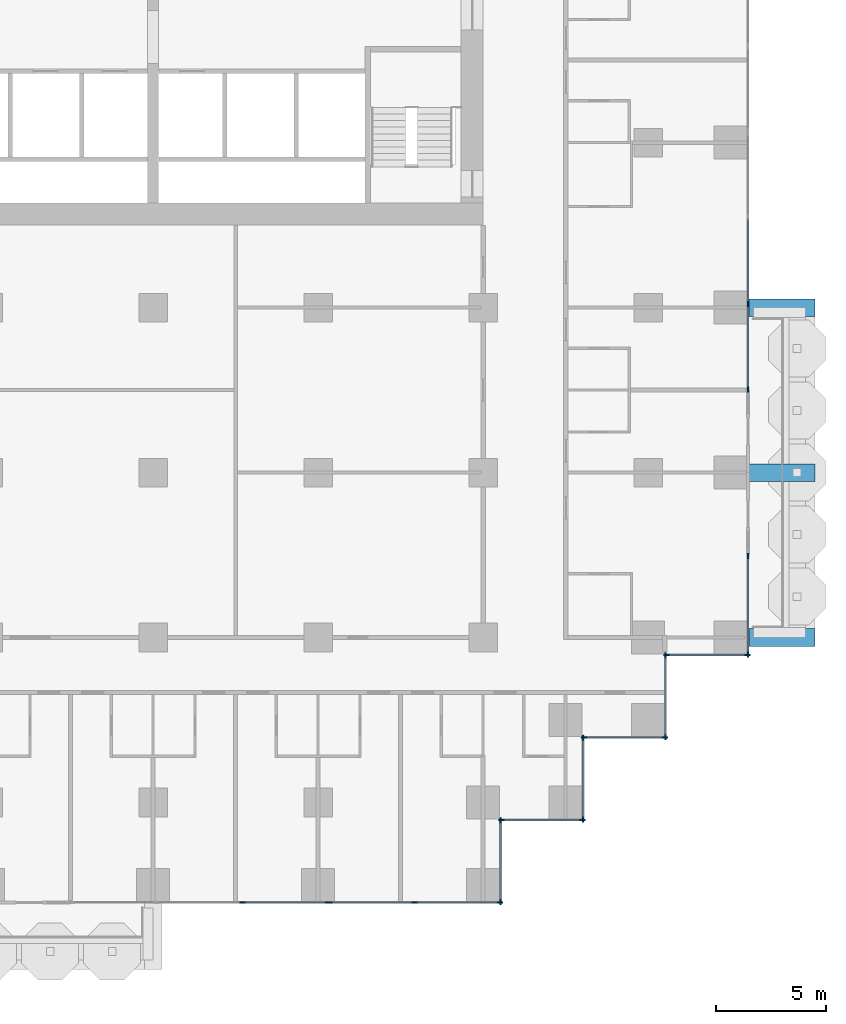
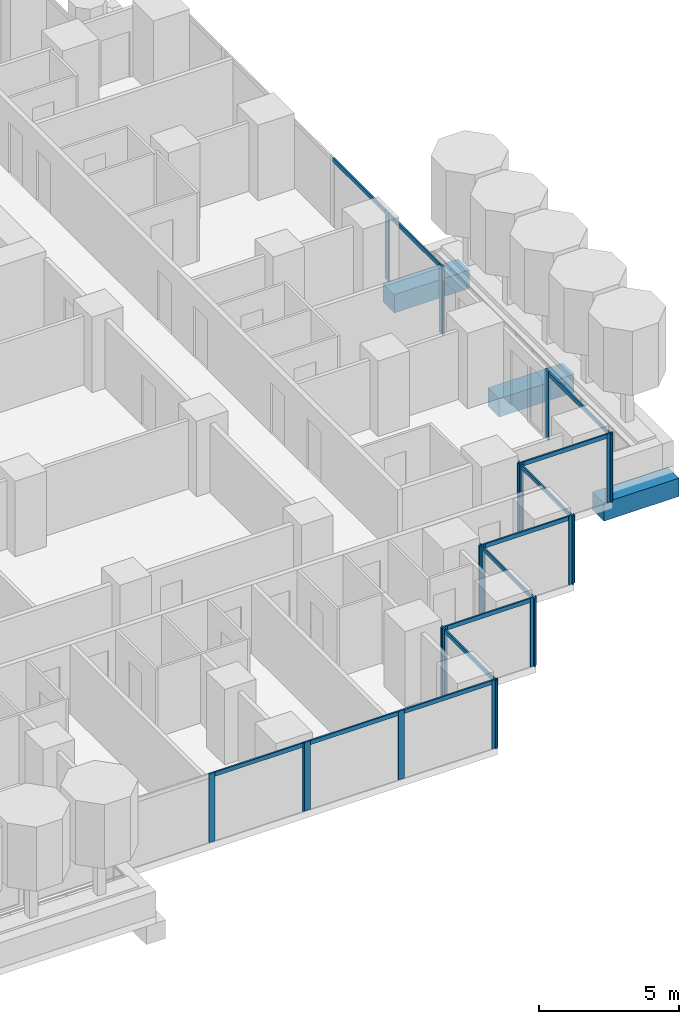
# One storey, part 4 of 19: 33 members, 3 beams, 10 elements without a shape of their own.
"""IFC4 building model written with IfcOpenShell, lengths in metres."""

from ifc_helpers import new_model, si_unit, direction, frame, origin, origin_2d, place, context, subcontext, project, spatial, rectangle, extrude, material, material_profile, profile_set, type_object, element, aggregate, save


model = new_model("IFC4")

# Units and contexts
model_context = context("Model", 3, precision=1e-05, world=origin(), true_north=direction((0.0, 1.0)))
body_context = subcontext(model_context, "Body", "Model", "MODEL_VIEW")
ifc_project = project(units=[si_unit("LENGTHUNIT", "METRE"), si_unit("AREAUNIT", "SQUARE_METRE"), si_unit("VOLUMEUNIT", "CUBIC_METRE"), si_unit("PLANEANGLEUNIT", "RADIAN"), si_unit("MASSUNIT", "GRAM", prefix="KILO")], contexts=[model_context])

# Site, building, storey
site_placement = place(None, origin())
site = spatial("IfcSite", under=ifc_project, at=site_placement, CompositionType="ELEMENT")
building_placement = place(site_placement, origin())
building = spatial("IfcBuilding", under=site, at=building_placement, Name="Pilkhan Gate Tower", CompositionType="ELEMENT")
storey_placement = place(building_placement, frame((0.0, 0.0, 62.60009765625)))
storey = spatial("IfcBuildingStorey", under=building, at=storey_placement, Name="L13", CompositionType="ELEMENT", Elevation=62.60009765625)

# Beams
ifc_material_1 = material(Name="Concrete C50/60", Category="concrete")
ifc_material_profile_1 = material_profile(ifc_material_1, rectangle(XDim=0.800048828125, YDim=0.800048828125, at=origin_2d()), Name="RC 800x800")
ifc_profile_set_1 = profile_set([ifc_material_profile_1], Name="Concrete C50/60")
beam_type = type_object("IfcBeamType", Name="Cantilever beam CB2 RC 800x800 C50/60", PredefinedType="BEAM", material=ifc_profile_set_1)
for number, where, z_axis, x_axis, name in (
    (1, (102.0, 52.5, -0.7001953125), (1.0, 0.0, 0.0), (0.0, 1.0, 0.0), "Balcony beam E.1 L13"),
    (2, (102.0, 60.0, -0.7001953125), (1.0, 0.0, 0.0), (0.0, 1.0, 0.0), "Balcony beam E.2 L13"),
    (3, (102.0, 67.5, -0.7001953125), (1.0, 0.0, 0.0), (0.0, 1.0, 0.0), "Balcony beam E.3 L13"),
):
    element("IfcBeam", number, at=place(storey_placement, frame(where, z_axis=z_axis, x_axis=x_axis)), inside=storey, type_object=beam_type, Name=name, PredefinedType="BEAM", context=body_context, shape_type="SweptSolid", body=[
        extrude(rectangle(XDim=0.800048828125, YDim=0.800048828125, at=origin_2d()), origin(), (0.0, 0.0, 1.0), 3.10009765625),
    ])

# Curtain wall, members
ifc_material_2 = material(Name="Pale anodised aluminium, clear low-iron double glazing", Category="aluminium")
curtain_wall_type = type_object("IfcCurtainWallType", Name="Hotel unitised curtain wall CW-H", PredefinedType="USERDEFINED", material=ifc_material_2)
curtain_wall_1_placement = place(storey_placement, origin())
curtain_wall_1 = element("IfcCurtainWall", 4, at=curtain_wall_1_placement, inside=storey, type_object=curtain_wall_type, Name="Hotel unitised curtain wall CW-H L13 E", ObjectType="UNITISED CURTAIN WALL", PredefinedType="USERDEFINED")
ifc_material_3 = material(Name="Pale anodised aluminium", Category="aluminium")
ifc_material_profile_2 = material_profile(ifc_material_3, rectangle(XDim=0.06494140625, YDim=0.25, at=origin_2d()), Name="Mullion 250x65")
ifc_profile_set_2 = profile_set([ifc_material_profile_2], Name="Pale anodised aluminium")
member_type_1 = type_object("IfcMemberType", Name="Mullion CW-H 250x65", PredefinedType="MULLION", material=ifc_profile_set_2)
member_1_placement = place(storey_placement, frame((102.044921875, 51.737548828125, 0.0), z_axis=(0.0, 0.0, 1.0), x_axis=(-1.0, 0.0, 0.0)))
member_1 = element("IfcMember", 5, at=member_1_placement, type_object=member_type_1, Name="CW-H mullion 1", PredefinedType="MULLION", context=body_context, shape_type="SweptSolid", body=[
    extrude(rectangle(XDim=0.06494140625, YDim=0.25, at=origin_2d()), origin(), (0.0, 0.0, 1.0), 3.0),
])
member_2_placement = place(storey_placement, frame((102.044921875, 56.217529296875, 0.0), z_axis=(0.0, 0.0, 1.0), x_axis=(-1.0, 0.0, 0.0)))
member_2 = element("IfcMember", 6, at=member_2_placement, type_object=member_type_1, Name="CW-H mullion 2", PredefinedType="MULLION", context=body_context, shape_type="SweptSolid", body=[
    extrude(rectangle(XDim=0.06494140625, YDim=0.25, at=origin_2d()), origin(), (0.0, 0.0, 1.0), 3.0),
])

curtain_wall_2_placement = place(storey_placement, origin())
curtain_wall_2 = element("IfcCurtainWall", 7, at=curtain_wall_2_placement, inside=storey, type_object=curtain_wall_type, Name="Hotel unitised curtain wall CW-H L13 E", ObjectType="UNITISED CURTAIN WALL", PredefinedType="USERDEFINED")
member_3_placement = place(storey_placement, frame((102.044921875, 63.782470703125, 0.0), z_axis=(0.0, 0.0, 1.0), x_axis=(-1.0, 0.0, 0.0)))
member_3 = element("IfcMember", 8, at=member_3_placement, type_object=member_type_1, Name="CW-H mullion 1", PredefinedType="MULLION", context=body_context, shape_type="SweptSolid", body=[
    extrude(rectangle(XDim=0.06494140625, YDim=0.25, at=origin_2d()), origin(), (0.0, 0.0, 1.0), 3.0),
])
member_4_placement = place(storey_placement, frame((102.044921875, 67.658935546875, 0.0), z_axis=(0.0, 0.0, 1.0), x_axis=(-1.0, 0.0, 0.0)))
member_4 = element("IfcMember", 9, at=member_4_placement, type_object=member_type_1, Name="CW-H mullion 2", PredefinedType="MULLION", context=body_context, shape_type="SweptSolid", body=[
    extrude(rectangle(XDim=0.06494140625, YDim=0.25, at=origin_2d()), origin(), (0.0, 0.0, 1.0), 3.0),
])

curtain_wall_3_placement = place(storey_placement, origin())
curtain_wall_3 = element("IfcCurtainWall", 10, at=curtain_wall_3_placement, inside=storey, type_object=curtain_wall_type, Name="Hotel unitised curtain wall CW-H L13 S", ObjectType="UNITISED CURTAIN WALL", PredefinedType="USERDEFINED")
member_5_placement = place(storey_placement, frame((79.068115234375, 40.455078125, 0.0), z_axis=(0.0, 0.0, 1.0), x_axis=(0.0, 1.0, 0.0)))
member_5 = element("IfcMember", 11, at=member_5_placement, type_object=member_type_1, Name="CW-H mullion 3", PredefinedType="MULLION", context=body_context, shape_type="SweptSolid", body=[
    extrude(rectangle(XDim=0.06494140625, YDim=0.25, at=origin_2d()), origin(), (0.0, 0.0, 1.0), 3.0),
])
member_6_placement = place(storey_placement, frame((82.944580078125, 40.455078125, 0.0), z_axis=(0.0, 0.0, 1.0), x_axis=(0.0, 1.0, 0.0)))
member_6 = element("IfcMember", 12, at=member_6_placement, type_object=member_type_1, Name="CW-H mullion 4", PredefinedType="MULLION", context=body_context, shape_type="SweptSolid", body=[
    extrude(rectangle(XDim=0.06494140625, YDim=0.25, at=origin_2d()), origin(), (0.0, 0.0, 1.0), 3.0),
])

curtain_wall_4_placement = place(storey_placement, origin())
curtain_wall_4 = element("IfcCurtainWall", 13, at=curtain_wall_4_placement, inside=storey, type_object=curtain_wall_type, Name="Hotel unitised curtain wall CW-H L13 S", ObjectType="UNITISED CURTAIN WALL", PredefinedType="USERDEFINED")
member_7_placement = place(storey_placement, frame((83.009521484375, 40.455078125, 0.0), z_axis=(0.0, 0.0, 1.0), x_axis=(0.0, 1.0, 0.0)))
member_7 = element("IfcMember", 14, at=member_7_placement, type_object=member_type_1, Name="CW-H mullion 1", PredefinedType="MULLION", context=body_context, shape_type="SweptSolid", body=[
    extrude(rectangle(XDim=0.06494140625, YDim=0.25, at=origin_2d()), origin(), (0.0, 0.0, 1.0), 3.0),
])
member_8_placement = place(storey_placement, frame((86.885986328125, 40.455078125, 0.0), z_axis=(0.0, 0.0, 1.0), x_axis=(0.0, 1.0, 0.0)))
member_8 = element("IfcMember", 15, at=member_8_placement, type_object=member_type_1, Name="CW-H mullion 2", PredefinedType="MULLION", context=body_context, shape_type="SweptSolid", body=[
    extrude(rectangle(XDim=0.06494140625, YDim=0.25, at=origin_2d()), origin(), (0.0, 0.0, 1.0), 3.0),
])
member_9_placement = place(storey_placement, frame((90.762451171875, 40.455078125, 0.0), z_axis=(0.0, 0.0, 1.0), x_axis=(0.0, 1.0, 0.0)))
member_9 = element("IfcMember", 16, at=member_9_placement, type_object=member_type_1, Name="CW-H mullion 3", PredefinedType="MULLION", context=body_context, shape_type="SweptSolid", body=[
    extrude(rectangle(XDim=0.06494140625, YDim=0.25, at=origin_2d()), origin(), (0.0, 0.0, 1.0), 3.0),
])

curtain_wall_5_placement = place(storey_placement, origin())
curtain_wall_5 = element("IfcCurtainWall", 17, at=curtain_wall_5_placement, inside=storey, type_object=curtain_wall_type, Name="Hotel unitised curtain wall CW-H L13 E", ObjectType="UNITISED CURTAIN WALL", PredefinedType="USERDEFINED")
member_10_placement = place(storey_placement, frame((90.794921875, 40.487548828125, 0.0), z_axis=(0.0, 0.0, 1.0), x_axis=(-1.0, 0.0, 0.0)))
member_10 = element("IfcMember", 18, at=member_10_placement, type_object=member_type_1, Name="CW-H mullion 1", PredefinedType="MULLION", context=body_context, shape_type="SweptSolid", body=[
    extrude(rectangle(XDim=0.06494140625, YDim=0.25, at=origin_2d()), origin(), (0.0, 0.0, 1.0), 3.0),
])
member_11_placement = place(storey_placement, frame((90.794921875, 44.172607421875, 0.0), z_axis=(0.0, 0.0, 1.0), x_axis=(-1.0, 0.0, 0.0)))
member_11 = element("IfcMember", 19, at=member_11_placement, type_object=member_type_1, Name="CW-H mullion 2", PredefinedType="MULLION", context=body_context, shape_type="SweptSolid", body=[
    extrude(rectangle(XDim=0.06494140625, YDim=0.25, at=origin_2d()), origin(), (0.0, 0.0, 1.0), 3.0),
])

curtain_wall_6_placement = place(storey_placement, origin())
curtain_wall_6 = element("IfcCurtainWall", 20, at=curtain_wall_6_placement, inside=storey, type_object=curtain_wall_type, Name="Hotel unitised curtain wall CW-H L13 S", ObjectType="UNITISED CURTAIN WALL", PredefinedType="USERDEFINED")
member_12_placement = place(storey_placement, frame((90.827392578125, 44.205078125, 0.0), z_axis=(0.0, 0.0, 1.0), x_axis=(0.0, 1.0, 0.0)))
member_12 = element("IfcMember", 21, at=member_12_placement, type_object=member_type_1, Name="CW-H mullion 1", PredefinedType="MULLION", context=body_context, shape_type="SweptSolid", body=[
    extrude(rectangle(XDim=0.06494140625, YDim=0.25, at=origin_2d()), origin(), (0.0, 0.0, 1.0), 3.0),
])
member_13_placement = place(storey_placement, frame((94.512451171875, 44.205078125, 0.0), z_axis=(0.0, 0.0, 1.0), x_axis=(0.0, 1.0, 0.0)))
member_13 = element("IfcMember", 22, at=member_13_placement, type_object=member_type_1, Name="CW-H mullion 2", PredefinedType="MULLION", context=body_context, shape_type="SweptSolid", body=[
    extrude(rectangle(XDim=0.06494140625, YDim=0.25, at=origin_2d()), origin(), (0.0, 0.0, 1.0), 3.0),
])

curtain_wall_7_placement = place(storey_placement, origin())
curtain_wall_7 = element("IfcCurtainWall", 23, at=curtain_wall_7_placement, inside=storey, type_object=curtain_wall_type, Name="Hotel unitised curtain wall CW-H L13 E", ObjectType="UNITISED CURTAIN WALL", PredefinedType="USERDEFINED")
member_14_placement = place(storey_placement, frame((94.544921875, 44.237548828125, 0.0), z_axis=(0.0, 0.0, 1.0), x_axis=(-1.0, 0.0, 0.0)))
member_14 = element("IfcMember", 24, at=member_14_placement, type_object=member_type_1, Name="CW-H mullion 1", PredefinedType="MULLION", context=body_context, shape_type="SweptSolid", body=[
    extrude(rectangle(XDim=0.06494140625, YDim=0.25, at=origin_2d()), origin(), (0.0, 0.0, 1.0), 3.0),
])
member_15_placement = place(storey_placement, frame((94.544921875, 47.922607421875, 0.0), z_axis=(0.0, 0.0, 1.0), x_axis=(-1.0, 0.0, 0.0)))
member_15 = element("IfcMember", 25, at=member_15_placement, type_object=member_type_1, Name="CW-H mullion 2", PredefinedType="MULLION", context=body_context, shape_type="SweptSolid", body=[
    extrude(rectangle(XDim=0.06494140625, YDim=0.25, at=origin_2d()), origin(), (0.0, 0.0, 1.0), 3.0),
])

curtain_wall_8_placement = place(storey_placement, origin())
curtain_wall_8 = element("IfcCurtainWall", 26, at=curtain_wall_8_placement, inside=storey, type_object=curtain_wall_type, Name="Hotel unitised curtain wall CW-H L13 S", ObjectType="UNITISED CURTAIN WALL", PredefinedType="USERDEFINED")
member_16_placement = place(storey_placement, frame((94.577392578125, 47.955078125, 0.0), z_axis=(0.0, 0.0, 1.0), x_axis=(0.0, 1.0, 0.0)))
member_16 = element("IfcMember", 27, at=member_16_placement, type_object=member_type_1, Name="CW-H mullion 1", PredefinedType="MULLION", context=body_context, shape_type="SweptSolid", body=[
    extrude(rectangle(XDim=0.06494140625, YDim=0.25, at=origin_2d()), origin(), (0.0, 0.0, 1.0), 3.0),
])
member_17_placement = place(storey_placement, frame((98.262451171875, 47.955078125, 0.0), z_axis=(0.0, 0.0, 1.0), x_axis=(0.0, 1.0, 0.0)))
member_17 = element("IfcMember", 28, at=member_17_placement, type_object=member_type_1, Name="CW-H mullion 2", PredefinedType="MULLION", context=body_context, shape_type="SweptSolid", body=[
    extrude(rectangle(XDim=0.06494140625, YDim=0.25, at=origin_2d()), origin(), (0.0, 0.0, 1.0), 3.0),
])

curtain_wall_9_placement = place(storey_placement, origin())
curtain_wall_9 = element("IfcCurtainWall", 29, at=curtain_wall_9_placement, inside=storey, type_object=curtain_wall_type, Name="Hotel unitised curtain wall CW-H L13 E", ObjectType="UNITISED CURTAIN WALL", PredefinedType="USERDEFINED")
member_18_placement = place(storey_placement, frame((98.294921875, 47.987548828125, 0.0), z_axis=(0.0, 0.0, 1.0), x_axis=(-1.0, 0.0, 0.0)))
member_18 = element("IfcMember", 30, at=member_18_placement, type_object=member_type_1, Name="CW-H mullion 1", PredefinedType="MULLION", context=body_context, shape_type="SweptSolid", body=[
    extrude(rectangle(XDim=0.06494140625, YDim=0.25, at=origin_2d()), origin(), (0.0, 0.0, 1.0), 3.0),
])
member_19_placement = place(storey_placement, frame((98.294921875, 51.672607421875, 0.0), z_axis=(0.0, 0.0, 1.0), x_axis=(-1.0, 0.0, 0.0)))
member_19 = element("IfcMember", 31, at=member_19_placement, type_object=member_type_1, Name="CW-H mullion 2", PredefinedType="MULLION", context=body_context, shape_type="SweptSolid", body=[
    extrude(rectangle(XDim=0.06494140625, YDim=0.25, at=origin_2d()), origin(), (0.0, 0.0, 1.0), 3.0),
])

curtain_wall_10_placement = place(storey_placement, origin())
curtain_wall_10 = element("IfcCurtainWall", 32, at=curtain_wall_10_placement, inside=storey, type_object=curtain_wall_type, Name="Hotel unitised curtain wall CW-H L13 S", ObjectType="UNITISED CURTAIN WALL", PredefinedType="USERDEFINED")
member_20_placement = place(storey_placement, frame((98.327392578125, 51.705078125, 0.0), z_axis=(0.0, 0.0, 1.0), x_axis=(0.0, 1.0, 0.0)))
member_20 = element("IfcMember", 33, at=member_20_placement, type_object=member_type_1, Name="CW-H mullion 1", PredefinedType="MULLION", context=body_context, shape_type="SweptSolid", body=[
    extrude(rectangle(XDim=0.06494140625, YDim=0.25, at=origin_2d()), origin(), (0.0, 0.0, 1.0), 3.0),
])
member_21_placement = place(storey_placement, frame((102.012451171875, 51.705078125, 0.0), z_axis=(0.0, 0.0, 1.0), x_axis=(0.0, 1.0, 0.0)))
member_21 = element("IfcMember", 34, at=member_21_placement, type_object=member_type_1, Name="CW-H mullion 2", PredefinedType="MULLION", context=body_context, shape_type="SweptSolid", body=[
    extrude(rectangle(XDim=0.06494140625, YDim=0.25, at=origin_2d()), origin(), (0.0, 0.0, 1.0), 3.0),
])

# Member
ifc_material_profile_3 = material_profile(ifc_material_3, rectangle(XDim=0.06494140625, YDim=0.179931640625, at=origin_2d()), Name="Transom 180x65")
ifc_profile_set_3 = profile_set([ifc_material_profile_3], Name="Pale anodised aluminium")
member_type_2 = type_object("IfcMemberType", Name="Transom CW-H 180x65", PredefinedType="USERDEFINED", material=ifc_profile_set_3)
member_22_placement = place(storey_placement, frame((102.044921875, 51.77001953125, 2.909912109375), z_axis=(0.0, 1.0, 0.0), x_axis=(-1.0, 0.0, 0.0)))
member_22 = element("IfcMember", 35, at=member_22_placement, type_object=member_type_2, Name="CW-H transom 1", ObjectType="TRANSOM", PredefinedType="USERDEFINED", context=body_context, shape_type="SweptSolid", body=[
    extrude(rectangle(XDim=0.06494140625, YDim=0.179931640625, at=origin_2d()), origin(), (0.0, 0.0, 1.0), 4.4150390625),
])

aggregate(curtain_wall_1, [member_1, member_2, member_22])

member_23_placement = place(storey_placement, frame((102.044921875, 63.81494140625, 2.909912109375), z_axis=(0.0, 1.0, 0.0), x_axis=(-1.0, 0.0, 0.0)))
member_23 = element("IfcMember", 36, at=member_23_placement, type_object=member_type_2, Name="CW-H transom 1", ObjectType="TRANSOM", PredefinedType="USERDEFINED", context=body_context, shape_type="SweptSolid", body=[
    extrude(rectangle(XDim=0.06494140625, YDim=0.179931640625, at=origin_2d()), origin(), (0.0, 0.0, 1.0), 3.8115234375),
])

member_24_placement = place(storey_placement, frame((102.044921875, 67.69140625, 2.909912109375), z_axis=(0.0, 1.0, 0.0), x_axis=(-1.0, 0.0, 0.0)))
member_24 = element("IfcMember", 37, at=member_24_placement, type_object=member_type_2, Name="CW-H transom 2", ObjectType="TRANSOM", PredefinedType="USERDEFINED", context=body_context, shape_type="SweptSolid", body=[
    extrude(rectangle(XDim=0.06494140625, YDim=0.179931640625, at=origin_2d()), origin(), (0.0, 0.0, 1.0), 3.843994140625),
])

aggregate(curtain_wall_2, [member_3, member_4, member_23, member_24])

member_25_placement = place(storey_placement, frame((79.1005859375, 40.455078125, 2.909912109375), z_axis=(1.0, 0.0, 0.0), x_axis=(0.0, 1.0, 0.0)))
member_25 = element("IfcMember", 38, at=member_25_placement, type_object=member_type_2, Name="CW-H transom 3", ObjectType="TRANSOM", PredefinedType="USERDEFINED", context=body_context, shape_type="SweptSolid", body=[
    extrude(rectangle(XDim=0.06494140625, YDim=0.179931640625, at=origin_2d()), origin(), (0.0, 0.0, 1.0), 3.8115234375),
])

aggregate(curtain_wall_3, [member_5, member_6, member_25])

member_26_placement = place(storey_placement, frame((83.0419921875, 40.455078125, 2.909912109375), z_axis=(1.0, 0.0, 0.0), x_axis=(0.0, 1.0, 0.0)))
member_26 = element("IfcMember", 39, at=member_26_placement, type_object=member_type_2, Name="CW-H transom 1", ObjectType="TRANSOM", PredefinedType="USERDEFINED", context=body_context, shape_type="SweptSolid", body=[
    extrude(rectangle(XDim=0.06494140625, YDim=0.179931640625, at=origin_2d()), origin(), (0.0, 0.0, 1.0), 3.8115234375),
])

member_27_placement = place(storey_placement, frame((86.91845703125, 40.455078125, 2.909912109375), z_axis=(1.0, 0.0, 0.0), x_axis=(0.0, 1.0, 0.0)))
member_27 = element("IfcMember", 40, at=member_27_placement, type_object=member_type_2, Name="CW-H transom 2", ObjectType="TRANSOM", PredefinedType="USERDEFINED", context=body_context, shape_type="SweptSolid", body=[
    extrude(rectangle(XDim=0.06494140625, YDim=0.179931640625, at=origin_2d()), origin(), (0.0, 0.0, 1.0), 3.8115234375),
])

aggregate(curtain_wall_4, [member_7, member_8, member_9, member_26, member_27])

member_28_placement = place(storey_placement, frame((90.794921875, 40.52001953125, 2.909912109375), z_axis=(0.0, 1.0, 0.0), x_axis=(-1.0, 0.0, 0.0)))
member_28 = element("IfcMember", 41, at=member_28_placement, type_object=member_type_2, Name="CW-H transom 1", ObjectType="TRANSOM", PredefinedType="USERDEFINED", context=body_context, shape_type="SweptSolid", body=[
    extrude(rectangle(XDim=0.06494140625, YDim=0.179931640625, at=origin_2d()), origin(), (0.0, 0.0, 1.0), 3.619873046875),
])

aggregate(curtain_wall_5, [member_10, member_11, member_28])

member_29_placement = place(storey_placement, frame((90.860107421875, 44.205078125, 2.909912109375), z_axis=(1.0, 0.0, 0.0), x_axis=(0.0, 1.0, 0.0)))
member_29 = element("IfcMember", 42, at=member_29_placement, type_object=member_type_2, Name="CW-H transom 1", ObjectType="TRANSOM", PredefinedType="USERDEFINED", context=body_context, shape_type="SweptSolid", body=[
    extrude(rectangle(XDim=0.06494140625, YDim=0.179931640625, at=origin_2d()), origin(), (0.0, 0.0, 1.0), 3.619873046875),
])

aggregate(curtain_wall_6, [member_12, member_13, member_29])

member_30_placement = place(storey_placement, frame((94.544921875, 44.27001953125, 2.909912109375), z_axis=(0.0, 1.0, 0.0), x_axis=(-1.0, 0.0, 0.0)))
member_30 = element("IfcMember", 43, at=member_30_placement, type_object=member_type_2, Name="CW-H transom 1", ObjectType="TRANSOM", PredefinedType="USERDEFINED", context=body_context, shape_type="SweptSolid", body=[
    extrude(rectangle(XDim=0.06494140625, YDim=0.179931640625, at=origin_2d()), origin(), (0.0, 0.0, 1.0), 3.619873046875),
])

aggregate(curtain_wall_7, [member_14, member_15, member_30])

member_31_placement = place(storey_placement, frame((94.610107421875, 47.955078125, 2.909912109375), z_axis=(1.0, 0.0, 0.0), x_axis=(0.0, 1.0, 0.0)))
member_31 = element("IfcMember", 44, at=member_31_placement, type_object=member_type_2, Name="CW-H transom 1", ObjectType="TRANSOM", PredefinedType="USERDEFINED", context=body_context, shape_type="SweptSolid", body=[
    extrude(rectangle(XDim=0.06494140625, YDim=0.179931640625, at=origin_2d()), origin(), (0.0, 0.0, 1.0), 3.619873046875),
])

aggregate(curtain_wall_8, [member_16, member_17, member_31])

member_32_placement = place(storey_placement, frame((98.294921875, 48.02001953125, 2.909912109375), z_axis=(0.0, 1.0, 0.0), x_axis=(-1.0, 0.0, 0.0)))
member_32 = element("IfcMember", 45, at=member_32_placement, type_object=member_type_2, Name="CW-H transom 1", ObjectType="TRANSOM", PredefinedType="USERDEFINED", context=body_context, shape_type="SweptSolid", body=[
    extrude(rectangle(XDim=0.06494140625, YDim=0.179931640625, at=origin_2d()), origin(), (0.0, 0.0, 1.0), 3.619873046875),
])

aggregate(curtain_wall_9, [member_18, member_19, member_32])

member_33_placement = place(storey_placement, frame((98.360107421875, 51.705078125, 2.909912109375), z_axis=(1.0, 0.0, 0.0), x_axis=(0.0, 1.0, 0.0)))
member_33 = element("IfcMember", 46, at=member_33_placement, type_object=member_type_2, Name="CW-H transom 1", ObjectType="TRANSOM", PredefinedType="USERDEFINED", context=body_context, shape_type="SweptSolid", body=[
    extrude(rectangle(XDim=0.06494140625, YDim=0.179931640625, at=origin_2d()), origin(), (0.0, 0.0, 1.0), 3.619873046875),
])

aggregate(curtain_wall_10, [member_20, member_21, member_33])

save(model, "model.ifc")
